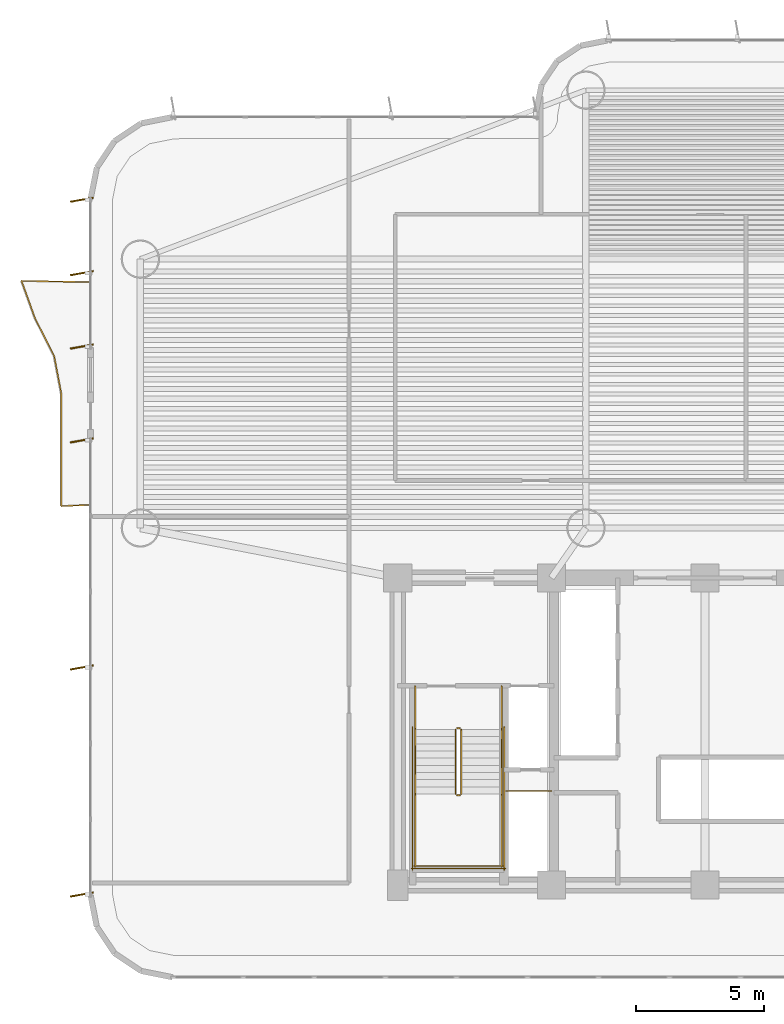
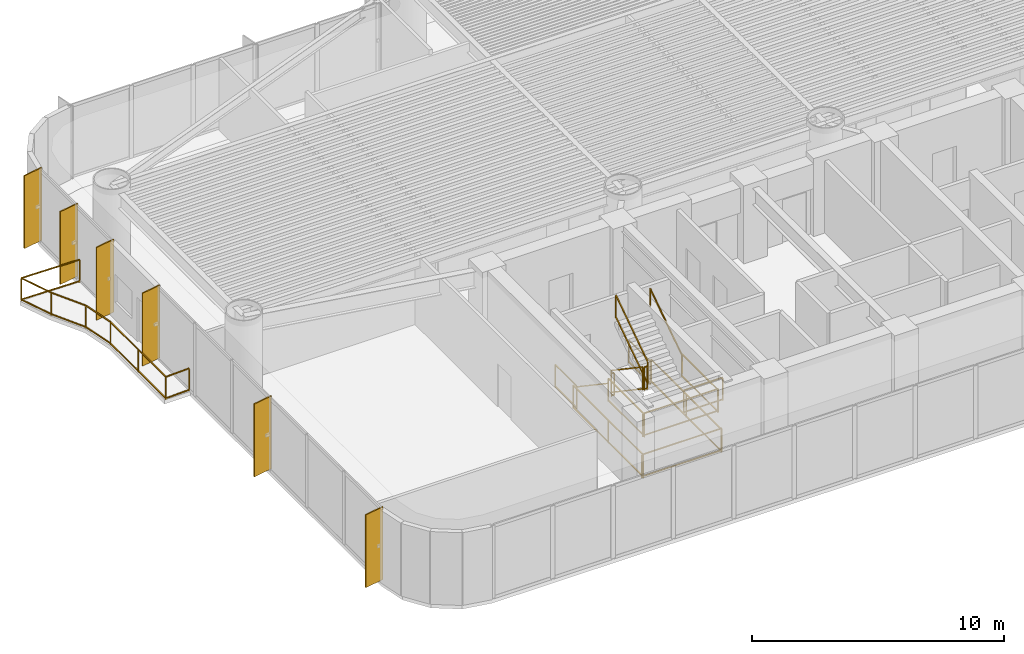
# One storey, part 13 of 16: 16 railings, 6 shading devices.
"""IFC4 building model written with IfcOpenShell, lengths in metres."""

import ifcopenshell
import ifcopenshell.guid

model = None  # the IFC model being written
_history = None  # IfcOwnerHistory: only IFC2X3 demands one
_inside = {}  # id of a spatial element -> (the spatial element, [elements in it])
_under = {}  # id of a project, library or spatial element -> (it, [spatial elements below it])
_declared = {}  # id of a project -> (the project, [libraries it declares])
_typed = {}  # id of a type object -> (the type object, [elements of that type])
_made_of = {}  # id of a material, layer set ... -> (it, [elements and type objects made of it])


def new_model(schema):
    """Start an empty IFC model of exactly this schema.

    Asked for "IFC4X3", IfcOpenShell would pick the latest addendum, in which some entities
    have other attributes; the version numbers below select the first issue.
    IFC2X3 requires an IfcOwnerHistory on every rooted entity: one is made here for all.
    """
    global model, _history
    if schema == "IFC4X3":
        model = ifcopenshell.file(schema_version=(4, 3, 0, 0))
    else:
        model = ifcopenshell.file(schema=schema)
    _inside.clear()
    _under.clear()
    _declared.clear()
    _typed.clear()
    _made_of.clear()
    _history = None
    if model.schema == "IFC2X3":
        org = make("IfcOrganization", Name="unknown")
        user = make(
            "IfcPersonAndOrganization",
            ThePerson=make("IfcPerson", FamilyName="unknown"),
            TheOrganization=org,
        )
        app = make(
            "IfcApplication",
            ApplicationDeveloper=org,
            Version="unknown",
            ApplicationFullName="unknown",
            ApplicationIdentifier="unknown",
        )
        _history = make(
            "IfcOwnerHistory",
            OwningUser=user,
            OwningApplication=app,
            ChangeAction="ADDED",
            CreationDate=0,
        )
    return model


def make(cls, **values):
    """One entity of the class cls with the attributes given. An attribute that is None is left unset."""
    return model.create_entity(
        cls, **{name: value for name, value in values.items() if value is not None}
    )


def rooted(cls, **values):
    """An entity with a GlobalId (a new one), such as an element, a storey or a relation."""
    return make(cls, GlobalId=ifcopenshell.guid.new(), OwnerHistory=_history, **values)


def si_unit(unit_type, name, prefix=None):
    """IfcSIUnit, for example si_unit("LENGTHUNIT", "METRE", prefix="MILLI")."""
    return make("IfcSIUnit", UnitType=unit_type, Prefix=prefix, Name=name)


def assignment(units):
    """IfcUnitAssignment: the units of a project."""
    return None if units is None else make("IfcUnitAssignment", Units=units)


def point(xyz):
    """IfcCartesianPoint."""
    return None if xyz is None else make("IfcCartesianPoint", Coordinates=xyz)


def direction(xyz):
    """IfcDirection."""
    return None if xyz is None else make("IfcDirection", DirectionRatios=xyz)


def frame(location, z_axis=None, x_axis=None):
    """IfcAxis2Placement3D, a coordinate frame: its origin and axes. An axis left out is left unset."""
    return make(
        "IfcAxis2Placement3D",
        Location=point(location),
        Axis=direction(z_axis),
        RefDirection=direction(x_axis),
    )


def frame_2d(location, x_axis=None):
    """IfcAxis2Placement2D, a coordinate frame in the plane: its origin and x axis."""
    return make(
        "IfcAxis2Placement2D", Location=point(location), RefDirection=direction(x_axis)
    )


def origin():
    """The frame at (0, 0, 0) with its axes left unset."""
    return frame((0.0, 0.0, 0.0))


def origin_2d():
    """The frame at (0, 0) in the plane with its x axis left unset."""
    return frame_2d((0.0, 0.0))


def place(relative_to, where):
    """IfcLocalPlacement: puts the frame where relative to a parent placement (None: the world)."""
    return make(
        "IfcLocalPlacement", PlacementRelTo=relative_to, RelativePlacement=where
    )


def context(
    kind, dimensions, precision=None, world=None, true_north=None, identifier=None
):
    """IfcGeometricRepresentationContext, for example the 3D "Model" context."""
    return make(
        "IfcGeometricRepresentationContext",
        ContextIdentifier=identifier,
        ContextType=kind,
        CoordinateSpaceDimension=dimensions,
        Precision=precision,
        WorldCoordinateSystem=world,
        TrueNorth=true_north,
    )


def subcontext(parent, identifier, kind, view, scale=None):
    """IfcGeometricRepresentationSubContext, for example "Body" below "Model"."""
    return make(
        "IfcGeometricRepresentationSubContext",
        ContextIdentifier=identifier,
        ContextType=kind,
        ParentContext=parent,
        TargetScale=scale,
        TargetView=view,
    )


def project(units=None, contexts=None):
    """IfcProject with its units and contexts."""
    return rooted(
        "IfcProject",
        Name="project",
        RepresentationContexts=contexts,
        UnitsInContext=assignment(units),
    )


def spatial(cls, under=None, at=None, **own):
    """A site, building, storey or space (cls), placed at a placement, below another one or the project."""
    s = rooted(cls, ObjectPlacement=at, **own)
    if under is not None:
        _under.setdefault(under.id(), (under, []))[1].append(s)
    return s


def profile(cls, at=None, kind="AREA", **sizes):
    """A parametric profile (cls). Its sizes go by their IFC names, for example OverallWidth=200.0."""
    return make(cls, ProfileType=kind, Position=at, **sizes)


def rectangle(**sizes):
    """IfcRectangleProfileDef."""
    return profile("IfcRectangleProfileDef", **sizes)


def extrude(swept, where, along, depth):
    """IfcExtrudedAreaSolid: the profile swept, set in the frame where, extruded along a direction by depth."""
    return make(
        "IfcExtrudedAreaSolid",
        SweptArea=swept,
        Position=where,
        ExtrudedDirection=direction(along),
        Depth=depth,
    )


def shape(context_of_items, identifier, shape_type, items):
    """IfcShapeRepresentation: the items that make up one representation, for example the "Body"."""
    return make(
        "IfcShapeRepresentation",
        ContextOfItems=context_of_items,
        RepresentationIdentifier=identifier,
        RepresentationType=shape_type,
        Items=items,
    )


def source(mapping_origin, context_of_items, identifier, shape_type, items):
    """IfcRepresentationMap: a shape defined once, which mapped items show again and again."""
    return make(
        "IfcRepresentationMap",
        MappingOrigin=mapping_origin,
        MappedRepresentation=shape(context_of_items, identifier, shape_type, items),
    )


def transform(
    local_origin,
    x_axis=None,
    y_axis=None,
    z_axis=None,
    scale=None,
    scale2=None,
    scale3=None,
    uniform=True,
):
    """IfcCartesianTransformationOperator3D, or its non-uniform kind. x_axis, y_axis, z_axis: its Axis1, 2, 3."""
    if uniform:
        return make(
            "IfcCartesianTransformationOperator3D",
            Axis1=direction(x_axis),
            Axis2=direction(y_axis),
            LocalOrigin=point(local_origin),
            Scale=scale,
            Axis3=direction(z_axis),
        )
    return make(
        "IfcCartesianTransformationOperator3DnonUniform",
        Axis1=direction(x_axis),
        Axis2=direction(y_axis),
        LocalOrigin=point(local_origin),
        Scale=scale,
        Axis3=direction(z_axis),
        Scale2=scale2,
        Scale3=scale3,
    )


def mapped(mapping_source, mapping_target):
    """IfcMappedItem: shows the shape of a source again, moved by a transform."""
    return make(
        "IfcMappedItem", MappingSource=mapping_source, MappingTarget=mapping_target
    )


def material(Name=None, Category=None):
    """IfcMaterial."""
    return make("IfcMaterial", Name=Name, Category=Category)


def layer(
    of_material, thickness, ventilated=None, Name=None, Category=None, Priority=None
):
    """IfcMaterialLayer: one layer of a wall or slab, of a material (None: an air gap)."""
    return make(
        "IfcMaterialLayer",
        Material=of_material,
        LayerThickness=thickness,
        IsVentilated=ventilated,
        Name=Name,
        Category=Category,
        Priority=Priority,
    )


def layer_set(layers, Name=None):
    """IfcMaterialLayerSet."""
    return make("IfcMaterialLayerSet", MaterialLayers=layers, LayerSetName=Name)


def material_profile(
    of_material, cross_section, Name=None, Category=None, Priority=None
):
    """IfcMaterialProfile: a cross section and its material."""
    return make(
        "IfcMaterialProfile",
        Name=Name,
        Material=of_material,
        Profile=cross_section,
        Priority=Priority,
        Category=Category,
    )


def profile_set(profiles, Name=None, composite=None):
    """IfcMaterialProfileSet."""
    return make(
        "IfcMaterialProfileSet",
        Name=Name,
        MaterialProfiles=profiles,
        CompositeProfile=composite,
    )


def made_of(thing, what):
    """Note that an element or type object is made of a material, layer set ...; save() writes the relation."""
    if what is not None:
        _made_of.setdefault(what.id(), (what, []))[1].append(thing)
    return thing


def type_object(cls, material=None, **own):
    """A type object (cls), such as IfcWallType, which elements share."""
    return made_of(rooted(cls, **own), material)


def element(
    cls,
    number,
    at=None,
    inside=None,
    cuts=None,
    type_object=None,
    material=None,
    context=None,
    identifier="Body",
    shape_type=None,
    held_by="IfcProductDefinitionShape",
    body=None,
    shapes=None,
    **own,
):
    """One element of the class cls, such as IfcWall. Its Tag is "e" and its number.

    at: its placement. inside: the storey or other place that contains it. cuts: it is an
    opening in that element (IfcRelVoidsElement). A single representation is given by context,
    identifier, shape_type and body (its items); several are given by shapes. held_by: the class
    of the entity that holds the representations. save() writes the other relations.
    """
    e = rooted(cls, Tag="e%d" % number, ObjectPlacement=at, **own)
    if body is not None:
        shapes = [shape(context, identifier, shape_type, body)]
    if shapes is not None:
        e.Representation = make(held_by, Representations=shapes)
    if inside is not None:
        _inside.setdefault(inside.id(), (inside, []))[1].append(e)
    if cuts is not None:
        rooted(
            "IfcRelVoidsElement", RelatingBuildingElement=cuts, RelatedOpeningElement=e
        )
    if type_object is not None:
        _typed.setdefault(type_object.id(), (type_object, []))[1].append(e)
    return made_of(e, material)


def aggregate(whole, parts):
    """IfcRelAggregates: a whole, such as a stair, and the parts it consists of."""
    return rooted("IfcRelAggregates", RelatingObject=whole, RelatedObjects=parts)


def save(model, path):
    """Write the relations noted so far, then the file.

    IfcRelAggregates (storeys below a building ...), IfcRelContainedInSpatialStructure (elements
    in a storey), IfcRelDefinesByType, IfcRelAssociatesMaterial and IfcRelDeclares: one each for
    every whole, place, type object, material and project.
    """
    for whole, parts in _under.values():
        aggregate(whole, parts)
    for where, things in _inside.values():
        rooted(
            "IfcRelContainedInSpatialStructure",
            RelatedElements=things,
            RelatingStructure=where,
        )
    for kind, things in _typed.values():
        rooted("IfcRelDefinesByType", RelatedObjects=things, RelatingType=kind)
    for what, things in _made_of.values():
        rooted("IfcRelAssociatesMaterial", RelatedObjects=things, RelatingMaterial=what)
    for by, libraries in _declared.values():
        rooted("IfcRelDeclares", RelatingContext=by, RelatedDefinitions=libraries)
    model.write(path)


model = new_model("IFC4")

# Units and contexts
model_context = context("Model", 3, precision=1e-05, world=origin(), true_north=direction((0.0, 1.0)))
body_context = subcontext(model_context, "Body", "Model", "MODEL_VIEW")
ifc_project = project(units=[si_unit("LENGTHUNIT", "METRE"), si_unit("AREAUNIT", "SQUARE_METRE"), si_unit("VOLUMEUNIT", "CUBIC_METRE"), si_unit("PLANEANGLEUNIT", "RADIAN"), si_unit("MASSUNIT", "GRAM", prefix="KILO")], contexts=[model_context])

# Site, building, storey
site_placement = place(None, origin())
site = spatial("IfcSite", under=ifc_project, at=site_placement, CompositionType="ELEMENT")
building_placement = place(site_placement, origin())
building = spatial("IfcBuilding", under=site, at=building_placement, Name="Brelvock Crest Care Tower", CompositionType="ELEMENT")
storey_placement = place(building_placement, frame((0.0, 0.0, 57.239990234375)))
storey = spatial("IfcBuildingStorey", under=building, at=storey_placement, Name="L14", CompositionType="ELEMENT", Elevation=57.239990234375)

# Railings
ifc_material_1 = material(Name="Dark Glass Double Glazed Low-E", Category="glass")
ifc_layer_1 = layer(ifc_material_1, 0.06005859375, Name="RL-BAL1")
ifc_layer_set_1 = layer_set([ifc_layer_1], Name="Dark Glass Double Glazed Low-E")
railing_type_1 = type_object("IfcRailingType", Name="RL-BAL1", PredefinedType="BALUSTRADE", material=ifc_layer_set_1)
railing_1_placement = place(storey_placement, frame((11.9599609375, 20.85009765625, 0.00390625)))
element("IfcRailing", 1, at=railing_1_placement, inside=storey, type_object=railing_type_1, Name="L14 Safety Balustrade WB-W", PredefinedType="BALUSTRADE", context=body_context, shape_type="SweptSolid", body=[
    extrude(rectangle(XDim=0.048095703125, YDim=0.048095703125, at=origin_2d()), frame((-0.001953125, 0.0, 1.09619140625), z_axis=(-0.998966252902, -0.045457953795, 0.0), x_axis=(0.045457953795, -0.998966252902, 0.0)), (0.0, 0.0, 1.0), 1.096923828125),
    extrude(rectangle(XDim=0.048095703125, YDim=0.048095703125, at=origin_2d()), frame((-0.001953125, 0.0, 0.054931640625), z_axis=(-0.998966252902, -0.045457953795, 0.0), x_axis=(0.045457953795, -0.998966252902, 0.0)), (0.0, 0.0, 1.0), 1.096923828125),
    extrude(rectangle(XDim=0.048095703125, YDim=0.048095703125, at=origin_2d()), frame((-1.099853515625, -0.048095703125, 1.09619140625), z_axis=(0.0, 1.0, 0.0), x_axis=(-1.0, 0.0, 0.0)), (0.0, 0.0, 1.0), 4.39599609375),
    extrude(rectangle(XDim=0.048095703125, YDim=0.048095703125, at=origin_2d()), frame((-1.099853515625, -0.048095703125, 0.054931640625), z_axis=(0.0, 1.0, 0.0), x_axis=(-1.0, 0.0, 0.0)), (0.0, 0.0, 1.0), 4.39599609375),
    extrude(rectangle(XDim=0.048095703125, YDim=0.048095703125, at=origin_2d()), frame((-1.100341796875, 4.351806640625, 1.09619140625), z_axis=(-0.187051999936, 0.982350013651, 0.0), x_axis=(-0.982350013651, -0.187051999936, 0.0)), (0.0, 0.0, 1.0), 1.4892578125),
    extrude(rectangle(XDim=0.048095703125, YDim=0.048095703125, at=origin_2d()), frame((-1.100341796875, 4.351806640625, 0.054931640625), z_axis=(-0.187051999936, 0.982350013651, 0.0), x_axis=(-0.982350013651, -0.187051999936, 0.0)), (0.0, 0.0, 1.0), 1.4892578125),
    extrude(rectangle(XDim=0.048095703125, YDim=0.048095703125, at=origin_2d()), frame((-1.380126953125, 5.818359375, 1.09619140625), z_axis=(-0.453316616849, 0.891349563801, 0.0), x_axis=(-0.891349563801, -0.453316616849, 0.0)), (0.0, 0.0, 1.0), 1.641357421875),
    extrude(rectangle(XDim=0.048095703125, YDim=0.048095703125, at=origin_2d()), frame((-1.380126953125, 5.818359375, 0.054931640625), z_axis=(-0.453316616849, 0.891349563801, 0.0), x_axis=(-0.891349563801, -0.453316616849, 0.0)), (0.0, 0.0, 1.0), 1.641357421875),
    extrude(rectangle(XDim=0.048095703125, YDim=0.048095703125, at=origin_2d()), frame((-2.125732421875, 7.28515625, 1.09619140625), z_axis=(-0.338597458076, 0.940931326604, 0.0), x_axis=(-0.940931326604, -0.338597458076, 0.0)), (0.0, 0.0, 1.0), 1.554931640625),
    extrude(rectangle(XDim=0.048095703125, YDim=0.048095703125, at=origin_2d()), frame((-2.125732421875, 7.28515625, 0.054931640625), z_axis=(-0.338597458076, 0.940931326604, 0.0), x_axis=(-0.940931326604, -0.338597458076, 0.0)), (0.0, 0.0, 1.0), 1.554931640625),
    extrude(rectangle(XDim=0.048095703125, YDim=0.048095703125, at=origin_2d()), frame((-2.65087890625, 8.75, 1.09619140625), z_axis=(0.999822080967, -0.018862831456, 0.0), x_axis=(0.018862831456, 0.999822080967, 0.0)), (0.0, 0.0, 1.0), 2.6494140625),
    extrude(rectangle(XDim=0.048095703125, YDim=0.048095703125, at=origin_2d()), frame((-2.65087890625, 8.75, 0.054931640625), z_axis=(0.999822080967, -0.018862831456, 0.0), x_axis=(0.018862831456, 0.999822080967, 0.0)), (0.0, 0.0, 1.0), 2.6494140625),
    extrude(rectangle(XDim=0.0419921875, YDim=0.0419921875, at=origin_2d()), origin(), (0.0, 0.0, 1.0), 1.070068359375),
    extrude(rectangle(XDim=0.0419921875, YDim=0.0419921875, at=origin_2d()), frame((-1.099853515625, -0.050048828125, 0.0)), (0.0, 0.0, 1.0), 1.070068359375),
    extrude(rectangle(XDim=0.0419921875, YDim=0.0419921875, at=origin_2d()), frame((-1.099853515625, 2.14990234375, 0.0)), (0.0, 0.0, 1.0), 1.070068359375),
    extrude(rectangle(XDim=0.0419921875, YDim=0.0419921875, at=origin_2d()), frame((-1.099853515625, 4.349853515625, 0.0)), (0.0, 0.0, 1.0), 1.070068359375),
    extrude(rectangle(XDim=0.0419921875, YDim=0.0419921875, at=origin_2d()), frame((-1.379150390625, 5.816650390625, 0.0)), (0.0, 0.0, 1.0), 1.070068359375),
    extrude(rectangle(XDim=0.0419921875, YDim=0.0419921875, at=origin_2d()), frame((-2.125, 7.283203125, 0.0)), (0.0, 0.0, 1.0), 1.070068359375),
    extrude(rectangle(XDim=0.0419921875, YDim=0.0419921875, at=origin_2d()), frame((-2.65283203125, 8.75, 0.0)), (0.0, 0.0, 1.0), 1.070068359375),
    extrude(rectangle(XDim=0.0419921875, YDim=0.0419921875, at=origin_2d()), frame((0.0, 8.699951171875, 0.0)), (0.0, 0.0, 1.0), 1.070068359375),
])
ifc_material_2 = material(Name="Steel Grade 350", Category="steel")
ifc_layer_2 = layer(ifc_material_2, 0.050048828125, Name="RL-STG1")
ifc_layer_set_2 = layer_set([ifc_layer_2], Name="Steel Grade 350")
railing_type_2 = type_object("IfcRailingType", Name="RL-STG1", PredefinedType="GUARDRAIL", material=ifc_layer_set_2)
railing_2_placement = place(storey_placement, frame((26.260009765625, 12.080078125, 0.18896484375)))
element("IfcRailing", 2, at=railing_2_placement, inside=storey, type_object=railing_type_2, Name="L14 ST-1 stair guard 1", PredefinedType="GUARDRAIL", context=body_context, shape_type="SweptSolid", body=[
    extrude(rectangle(XDim=0.048095703125, YDim=0.048095703125, at=origin_2d()), frame((0.0, -0.001708984375, 1.116943359375), z_axis=(0.0, -0.828861706735, 0.559453546873), x_axis=(1.0, 0.0, 0.0)), (0.0, 0.0, 1.0), 3.036376953125),
    extrude(rectangle(XDim=0.048095703125, YDim=0.048095703125, at=origin_2d()), frame((0.0, -0.001708984375, 0.05615234375), z_axis=(0.0, -0.828861706735, 0.559453546873), x_axis=(1.0, 0.0, 0.0)), (0.0, 0.0, 1.0), 3.036376953125),
    extrude(rectangle(XDim=0.0419921875, YDim=0.0419921875, at=origin_2d()), origin(), (0.0, 0.0, 1.0), 1.08984375),
    extrude(rectangle(XDim=0.0419921875, YDim=0.0419921875, at=origin_2d()), frame((0.0, -2.52001953125, 1.700927734375)), (0.0, 0.0, 1.0), 1.08984375),
])
railing_3_placement = place(storey_placement, frame((26.31005859375, 9.510009765625, 1.889892578125)))
element("IfcRailing", 3, at=railing_3_placement, inside=storey, type_object=railing_type_2, Name="L14 ST-1 stair guard 2", PredefinedType="GUARDRAIL", context=body_context, shape_type="SweptSolid", body=[
    extrude(rectangle(XDim=0.048095703125, YDim=0.048095703125, at=origin_2d()), frame((0.001953125, 0.0, 1.11572265625), z_axis=(1.0, 0.0, 0.0), x_axis=(0.0, 1.0, 0.0)), (0.0, 0.0, 1.0), 0.115966796875),
    extrude(rectangle(XDim=0.048095703125, YDim=0.048095703125, at=origin_2d()), frame((0.001953125, 0.0, 0.054931640625), z_axis=(1.0, 0.0, 0.0), x_axis=(0.0, 1.0, 0.0)), (0.0, 0.0, 1.0), 0.115966796875),
    extrude(rectangle(XDim=0.0419921875, YDim=0.0419921875, at=origin_2d()), origin(), (0.0, 0.0, 1.0), 1.08984375),
    extrude(rectangle(XDim=0.0419921875, YDim=0.0419921875, at=origin_2d()), frame((0.119873046875, 0.0, 0.0)), (0.0, 0.0, 1.0), 1.08984375),
])
for number, where, name in (
    (4, (24.679931640625, 9.56005859375, 1.889892578125), "L14 ST-1 stair guard 3"),
    (5, (28.06005859375, 9.56005859375, 1.889892578125), "L14 ST-1 stair guard 4"),
):
    element("IfcRailing", number, at=place(storey_placement, frame(where)), inside=storey, type_object=railing_type_2, Name=name, PredefinedType="GUARDRAIL", context=body_context, shape_type="SweptSolid", body=[
        extrude(rectangle(XDim=0.048095703125, YDim=0.048095703125, at=origin_2d()), frame((0.0, -0.001953125, 1.11572265625), z_axis=(0.0, -1.0, 0.0), x_axis=(1.0, 0.0, 0.0)), (0.0, 0.0, 1.0), 2.856201171875),
        extrude(rectangle(XDim=0.048095703125, YDim=0.048095703125, at=origin_2d()), frame((0.0, -0.001953125, 0.054931640625), z_axis=(0.0, -1.0, 0.0), x_axis=(1.0, 0.0, 0.0)), (0.0, 0.0, 1.0), 2.856201171875),
        extrude(rectangle(XDim=0.0419921875, YDim=0.0419921875, at=origin_2d()), origin(), (0.0, 0.0, 1.0), 1.08984375),
        extrude(rectangle(XDim=0.0419921875, YDim=0.0419921875, at=origin_2d()), frame((0.0, -2.860107421875, 0.0)), (0.0, 0.0, 1.0), 1.08984375),
    ])
railing_4_placement = place(storey_placement, frame((24.6298828125, 6.75, 1.889892578125)))
element("IfcRailing", 6, at=railing_4_placement, inside=storey, type_object=railing_type_2, Name="L14 ST-1 stair guard 5", PredefinedType="GUARDRAIL", context=body_context, shape_type="SweptSolid", body=[
    extrude(rectangle(XDim=0.048095703125, YDim=0.048095703125, at=origin_2d()), frame((0.001953125, 0.0, 1.11572265625), z_axis=(1.0, 0.0, 0.0), x_axis=(0.0, 1.0, 0.0)), (0.0, 0.0, 1.0), 3.476318359375),
    extrude(rectangle(XDim=0.048095703125, YDim=0.048095703125, at=origin_2d()), frame((0.001953125, 0.0, 0.054931640625), z_axis=(1.0, 0.0, 0.0), x_axis=(0.0, 1.0, 0.0)), (0.0, 0.0, 1.0), 3.476318359375),
    extrude(rectangle(XDim=0.0419921875, YDim=0.0419921875, at=origin_2d()), origin(), (0.0, 0.0, 1.0), 1.08984375),
    extrude(rectangle(XDim=0.0419921875, YDim=0.0419921875, at=origin_2d()), frame((3.480224609375, 0.0, 0.0)), (0.0, 0.0, 1.0), 1.08984375),
])
railing_5_placement = place(storey_placement, frame((26.47998046875, 9.56005859375, 2.0791015625)))
element("IfcRailing", 7, at=railing_5_placement, inside=storey, type_object=railing_type_2, Name="L14 ST-1 stair guard 6", PredefinedType="GUARDRAIL", context=body_context, shape_type="SweptSolid", body=[
    extrude(rectangle(XDim=0.048095703125, YDim=0.048095703125, at=origin_2d()), frame((0.0, 0.001708984375, 1.116943359375), z_axis=(0.0, 0.828861706735, 0.559453546873), x_axis=(-1.0, 0.0, 0.0)), (0.0, 0.0, 1.0), 3.036376953125),
    extrude(rectangle(XDim=0.048095703125, YDim=0.048095703125, at=origin_2d()), frame((0.0, 0.001708984375, 0.05615234375), z_axis=(0.0, 0.828861706735, 0.559453546873), x_axis=(-1.0, 0.0, 0.0)), (0.0, 0.0, 1.0), 3.036376953125),
    extrude(rectangle(XDim=0.0419921875, YDim=0.0419921875, at=origin_2d()), origin(), (0.0, 0.0, 1.0), 1.08984375),
    extrude(rectangle(XDim=0.0419921875, YDim=0.0419921875, at=origin_2d()), frame((0.0, 2.52001953125, 1.700927734375)), (0.0, 0.0, 1.0), 1.08984375),
])
railing_6_placement = place(storey_placement, frame((26.31005859375, 12.1298828125, 0.0)))
element("IfcRailing", 8, at=railing_6_placement, inside=storey, type_object=railing_type_2, Name="L14 ST-1 stair guard 7", PredefinedType="GUARDRAIL", context=body_context, shape_type="SweptSolid", body=[
    extrude(rectangle(XDim=0.048095703125, YDim=0.048095703125, at=origin_2d()), frame((0.001953125, 0.0, 1.11572265625), z_axis=(1.0, 0.0, 0.0), x_axis=(0.0, 1.0, 0.0)), (0.0, 0.0, 1.0), 0.115966796875),
    extrude(rectangle(XDim=0.048095703125, YDim=0.048095703125, at=origin_2d()), frame((0.001953125, 0.0, 0.054931640625), z_axis=(1.0, 0.0, 0.0), x_axis=(0.0, 1.0, 0.0)), (0.0, 0.0, 1.0), 0.115966796875),
    extrude(rectangle(XDim=0.0419921875, YDim=0.0419921875, at=origin_2d()), origin(), (0.0, 0.0, 1.0), 1.08984375),
    extrude(rectangle(XDim=0.0419921875, YDim=0.0419921875, at=origin_2d()), frame((0.119873046875, 0.0, 0.0)), (0.0, 0.0, 1.0), 1.08984375),
])
for number, where, name in (
    (9, (24.679931640625, 13.780029296875, 0.0), "L14 ST-1 stair guard 8"),
    (10, (28.06005859375, 13.780029296875, 0.0), "L14 ST-1 stair guard 9"),
):
    element("IfcRailing", number, at=place(storey_placement, frame(where)), inside=storey, type_object=railing_type_2, Name=name, PredefinedType="GUARDRAIL", context=body_context, shape_type="SweptSolid", body=[
        extrude(rectangle(XDim=0.048095703125, YDim=0.048095703125, at=origin_2d()), frame((0.0, -0.001953125, 1.11572265625), z_axis=(0.0, -1.0, 0.0), x_axis=(1.0, 0.0, 0.0)), (0.0, 0.0, 1.0), 1.696044921875),
        extrude(rectangle(XDim=0.048095703125, YDim=0.048095703125, at=origin_2d()), frame((0.0, -0.001953125, 0.054931640625), z_axis=(0.0, -1.0, 0.0), x_axis=(1.0, 0.0, 0.0)), (0.0, 0.0, 1.0), 1.696044921875),
        extrude(rectangle(XDim=0.0419921875, YDim=0.0419921875, at=origin_2d()), origin(), (0.0, 0.0, 1.0), 1.08984375),
        extrude(rectangle(XDim=0.0419921875, YDim=0.0419921875, at=origin_2d()), frame((0.0, -1.699951171875, 0.0)), (0.0, 0.0, 1.0), 1.08984375),
    ])
for number, where, name in (
    (11, (24.580078125, 12.179931640625, 0.0), "L14 ST-1 stair guard 10"),
    (12, (28.159912109375, 12.179931640625, 0.0), "L14 ST-1 stair guard 11"),
):
    element("IfcRailing", number, at=place(storey_placement, frame(where)), inside=storey, type_object=railing_type_2, Name=name, PredefinedType="GUARDRAIL", context=body_context, shape_type="SweptSolid", body=[
        extrude(rectangle(XDim=0.048095703125, YDim=0.048095703125, at=origin_2d()), frame((0.0, -0.001953125, 1.11572265625), z_axis=(0.0, -1.0, 0.0), x_axis=(1.0, 0.0, 0.0)), (0.0, 0.0, 1.0), 5.575927734375),
        extrude(rectangle(XDim=0.048095703125, YDim=0.048095703125, at=origin_2d()), frame((0.0, -0.001953125, 0.054931640625), z_axis=(0.0, -1.0, 0.0), x_axis=(1.0, 0.0, 0.0)), (0.0, 0.0, 1.0), 5.575927734375),
        extrude(rectangle(XDim=0.0419921875, YDim=0.0419921875, at=origin_2d()), origin(), (0.0, 0.0, 1.0), 1.08984375),
        extrude(rectangle(XDim=0.0419921875, YDim=0.0419921875, at=origin_2d()), frame((0.0, -2.7900390625, 0.0)), (0.0, 0.0, 1.0), 1.08984375),
        extrude(rectangle(XDim=0.0419921875, YDim=0.0419921875, at=origin_2d()), frame((0.0, -5.579833984375, 0.0)), (0.0, 0.0, 1.0), 1.08984375),
    ])
railing_7_placement = place(storey_placement, frame((24.530029296875, 6.64990234375, 0.0)))
element("IfcRailing", 13, at=railing_7_placement, inside=storey, type_object=railing_type_2, Name="L14 ST-1 stair guard 12", PredefinedType="GUARDRAIL", context=body_context, shape_type="SweptSolid", body=[
    extrude(rectangle(XDim=0.048095703125, YDim=0.048095703125, at=origin_2d()), frame((0.001953125, 0.0, 1.11572265625), z_axis=(1.0, 0.0, 0.0), x_axis=(0.0, 1.0, 0.0)), (0.0, 0.0, 1.0), 3.676025390625),
    extrude(rectangle(XDim=0.048095703125, YDim=0.048095703125, at=origin_2d()), frame((0.001953125, 0.0, 0.054931640625), z_axis=(1.0, 0.0, 0.0), x_axis=(0.0, 1.0, 0.0)), (0.0, 0.0, 1.0), 3.676025390625),
    extrude(rectangle(XDim=0.0419921875, YDim=0.0419921875, at=origin_2d()), origin(), (0.0, 0.0, 1.0), 1.08984375),
    extrude(rectangle(XDim=0.0419921875, YDim=0.0419921875, at=origin_2d()), frame((3.679931640625, 0.0, 0.0)), (0.0, 0.0, 1.0), 1.08984375),
])
railing_8_placement = place(storey_placement, frame((28.219970703125, 9.679931640625, 0.0)))
element("IfcRailing", 14, at=railing_8_placement, inside=storey, type_object=railing_type_2, Name="L14 Fire Riser Threshold Guard", PredefinedType="GUARDRAIL", context=body_context, shape_type="SweptSolid", body=[
    extrude(rectangle(XDim=0.048095703125, YDim=0.048095703125, at=origin_2d()), frame((0.001953125, 0.0, 1.11572265625), z_axis=(1.0, 0.0, 0.0), x_axis=(0.0, 1.0, 0.0)), (0.0, 0.0, 1.0), 1.776123046875),
    extrude(rectangle(XDim=0.048095703125, YDim=0.048095703125, at=origin_2d()), frame((0.001953125, 0.0, 0.054931640625), z_axis=(1.0, 0.0, 0.0), x_axis=(0.0, 1.0, 0.0)), (0.0, 0.0, 1.0), 1.776123046875),
    extrude(rectangle(XDim=0.0419921875, YDim=0.0419921875, at=origin_2d()), origin(), (0.0, 0.0, 1.0), 1.08984375),
    extrude(rectangle(XDim=0.0419921875, YDim=0.0419921875, at=origin_2d()), frame((1.780029296875, 0.0, 0.0)), (0.0, 0.0, 1.0), 1.08984375),
])
ifc_layer_3 = layer(ifc_material_2, 0.048095703125, Name="RL-STH1")
ifc_layer_set_3 = layer_set([ifc_layer_3], Name="Steel Grade 350")
railing_type_3 = type_object("IfcRailingType", Name="RL-STH1", PredefinedType="HANDRAIL", material=ifc_layer_set_3)
railing_9_placement = place(storey_placement, frame((24.679931640625, 12.080078125, 0.18896484375)))
element("IfcRailing", 15, at=railing_9_placement, inside=storey, type_object=railing_type_3, Name="L14 ST-1 stair handrail 1", PredefinedType="HANDRAIL", context=body_context, shape_type="SweptSolid", body=[
    extrude(rectangle(XDim=0.048095703125, YDim=0.048095703125, at=origin_2d()), frame((0.0, -0.001708984375, 0.876953125), z_axis=(0.0, -0.828861706735, 0.559453546873), x_axis=(1.0, 0.0, 0.0)), (0.0, 0.0, 1.0), 3.036376953125),
    extrude(rectangle(XDim=0.0419921875, YDim=0.0419921875, at=origin_2d()), origin(), (0.0, 0.0, 1.0), 0.849853515625),
    extrude(rectangle(XDim=0.0419921875, YDim=0.0419921875, at=origin_2d()), frame((0.0, -2.52001953125, 1.700927734375)), (0.0, 0.0, 1.0), 0.849853515625),
])
railing_10_placement = place(storey_placement, frame((28.06005859375, 9.56005859375, 2.0791015625)))
element("IfcRailing", 16, at=railing_10_placement, inside=storey, type_object=railing_type_3, Name="L14 ST-1 stair handrail 2", PredefinedType="HANDRAIL", context=body_context, shape_type="SweptSolid", body=[
    extrude(rectangle(XDim=0.048095703125, YDim=0.048095703125, at=origin_2d()), frame((0.0, 0.001708984375, 0.876953125), z_axis=(0.0, 0.828861706735, 0.559453546873), x_axis=(-1.0, 0.0, 0.0)), (0.0, 0.0, 1.0), 3.036376953125),
    extrude(rectangle(XDim=0.0419921875, YDim=0.0419921875, at=origin_2d()), origin(), (0.0, 0.0, 1.0), 0.849853515625),
    extrude(rectangle(XDim=0.0419921875, YDim=0.0419921875, at=origin_2d()), frame((0.0, 2.52001953125, 1.700927734375)), (0.0, 0.0, 1.0), 0.849853515625),
])

# Shading devices
ifc_material_3 = material(Name="Aluminium 6063-T6", Category="aluminium")
ifc_material_profile = material_profile(ifc_material_3, rectangle(XDim=0.054931640625, YDim=0.89990234375, at=origin_2d()), Name="FIN55x900")
ifc_profile_set = profile_set([ifc_material_profile], Name="Aluminium 6063-T6")
shading_device_type = type_object("IfcShadingDeviceType", Name="SHD-FIN1", PredefinedType="USERDEFINED", material=ifc_profile_set)
shared_shape = source(origin(), body_context, "Body", "SweptSolid", [
    extrude(rectangle(XDim=0.054931640625, YDim=0.89990234375, at=origin_2d()), origin(), (0.0, 0.0, 1.0), 3.530029296875),
])
for number, where, z_axis, x_axis, name in (
    (17, (11.659912109375, 5.632568359375, 0.0), (0.0, 0.0, 1.0), (-0.173648177667, 0.984807753012, 0.0), "L14 Vertical Sunshade Fin E13A-01"),
    (18, (11.659912109375, 14.5, 0.0), (0.0, 0.0, 1.0), (-0.173648177667, 0.984807753012, 0.0), "L14 Vertical Sunshade Fin E13A-04"),
    (19, (11.659912109375, 23.367431640625, 0.0), (0.0, 0.0, 1.0), (-0.173648177667, 0.984807753012, 0.0), "L14 Vertical Sunshade Fin E13A-07"),
    (20, (11.659912109375, 27.032470703125, 0.0), (0.0, 0.0, 1.0), (-0.173648177667, 0.984807753012, 0.0), "L14 Vertical Sunshade Fin E13B-01"),
    (21, (11.659912109375, 29.89990234375, 0.0), (0.0, 0.0, 1.0), (-0.173648177667, 0.984807753012, 0.0), "L14 Vertical Sunshade Fin E13B-02"),
    (22, (11.659912109375, 32.767578125, 0.0), (0.0, 0.0, 1.0), (-0.173648177667, 0.984807753012, 0.0), "L14 Vertical Sunshade Fin E13B-03"),
):
    element("IfcShadingDevice", number, at=place(storey_placement, frame(where, z_axis=z_axis, x_axis=x_axis)), inside=storey, type_object=shading_device_type, Name=name, ObjectType="FIN", PredefinedType="USERDEFINED", context=body_context, shape_type="MappedRepresentation", body=[
        mapped(shared_shape, transform((0.0, 0.0, 0.0), x_axis=(1.0, 0.0, 0.0), y_axis=(0.0, 1.0, 0.0), z_axis=(0.0, 0.0, 1.0), scale=1.0)),
    ])

save(model, "model.ifc")
